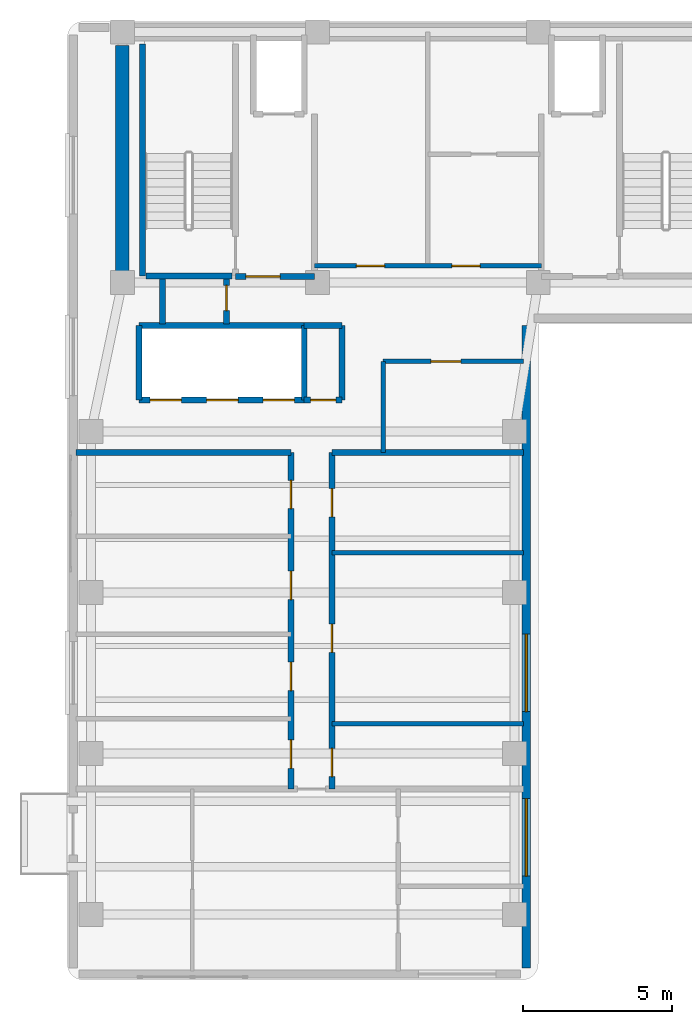
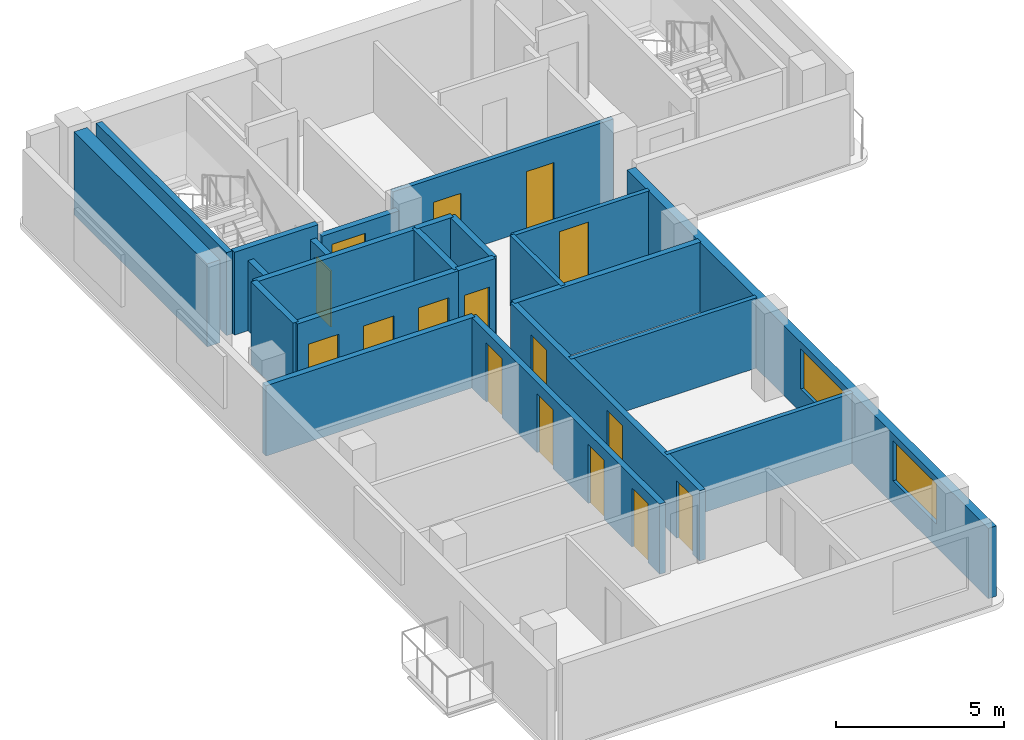
# One storey, part 8 of 11: 23 walls, 16 doors, 2 windows, 18 openings.
"""IFC4 building model written with IfcOpenShell, lengths in metres."""

import ifcopenshell
import ifcopenshell.guid

model = None  # the IFC model being written
_history = None  # IfcOwnerHistory: only IFC2X3 demands one
_inside = {}  # id of a spatial element -> (the spatial element, [elements in it])
_under = {}  # id of a project, library or spatial element -> (it, [spatial elements below it])
_declared = {}  # id of a project -> (the project, [libraries it declares])
_typed = {}  # id of a type object -> (the type object, [elements of that type])
_made_of = {}  # id of a material, layer set ... -> (it, [elements and type objects made of it])


def new_model(schema):
    """Start an empty IFC model of exactly this schema.

    Asked for "IFC4X3", IfcOpenShell would pick the latest addendum, in which some entities
    have other attributes; the version numbers below select the first issue.
    IFC2X3 requires an IfcOwnerHistory on every rooted entity: one is made here for all.
    """
    global model, _history
    if schema == "IFC4X3":
        model = ifcopenshell.file(schema_version=(4, 3, 0, 0))
    else:
        model = ifcopenshell.file(schema=schema)
    _inside.clear()
    _under.clear()
    _declared.clear()
    _typed.clear()
    _made_of.clear()
    _history = None
    if model.schema == "IFC2X3":
        org = make("IfcOrganization", Name="unknown")
        user = make(
            "IfcPersonAndOrganization",
            ThePerson=make("IfcPerson", FamilyName="unknown"),
            TheOrganization=org,
        )
        app = make(
            "IfcApplication",
            ApplicationDeveloper=org,
            Version="unknown",
            ApplicationFullName="unknown",
            ApplicationIdentifier="unknown",
        )
        _history = make(
            "IfcOwnerHistory",
            OwningUser=user,
            OwningApplication=app,
            ChangeAction="ADDED",
            CreationDate=0,
        )
    return model


def make(cls, **values):
    """One entity of the class cls with the attributes given. An attribute that is None is left unset."""
    return model.create_entity(
        cls, **{name: value for name, value in values.items() if value is not None}
    )


def rooted(cls, **values):
    """An entity with a GlobalId (a new one), such as an element, a storey or a relation."""
    return make(cls, GlobalId=ifcopenshell.guid.new(), OwnerHistory=_history, **values)


def si_unit(unit_type, name, prefix=None):
    """IfcSIUnit, for example si_unit("LENGTHUNIT", "METRE", prefix="MILLI")."""
    return make("IfcSIUnit", UnitType=unit_type, Prefix=prefix, Name=name)


def assignment(units):
    """IfcUnitAssignment: the units of a project."""
    return None if units is None else make("IfcUnitAssignment", Units=units)


def point(xyz):
    """IfcCartesianPoint."""
    return None if xyz is None else make("IfcCartesianPoint", Coordinates=xyz)


def direction(xyz):
    """IfcDirection."""
    return None if xyz is None else make("IfcDirection", DirectionRatios=xyz)


def frame(location, z_axis=None, x_axis=None):
    """IfcAxis2Placement3D, a coordinate frame: its origin and axes. An axis left out is left unset."""
    return make(
        "IfcAxis2Placement3D",
        Location=point(location),
        Axis=direction(z_axis),
        RefDirection=direction(x_axis),
    )


def frame_2d(location, x_axis=None):
    """IfcAxis2Placement2D, a coordinate frame in the plane: its origin and x axis."""
    return make(
        "IfcAxis2Placement2D", Location=point(location), RefDirection=direction(x_axis)
    )


def origin():
    """The frame at (0, 0, 0) with its axes left unset."""
    return frame((0.0, 0.0, 0.0))


def place(relative_to, where):
    """IfcLocalPlacement: puts the frame where relative to a parent placement (None: the world)."""
    return make(
        "IfcLocalPlacement", PlacementRelTo=relative_to, RelativePlacement=where
    )


def context(
    kind, dimensions, precision=None, world=None, true_north=None, identifier=None
):
    """IfcGeometricRepresentationContext, for example the 3D "Model" context."""
    return make(
        "IfcGeometricRepresentationContext",
        ContextIdentifier=identifier,
        ContextType=kind,
        CoordinateSpaceDimension=dimensions,
        Precision=precision,
        WorldCoordinateSystem=world,
        TrueNorth=true_north,
    )


def subcontext(parent, identifier, kind, view, scale=None):
    """IfcGeometricRepresentationSubContext, for example "Body" below "Model"."""
    return make(
        "IfcGeometricRepresentationSubContext",
        ContextIdentifier=identifier,
        ContextType=kind,
        ParentContext=parent,
        TargetScale=scale,
        TargetView=view,
    )


def project(units=None, contexts=None):
    """IfcProject with its units and contexts."""
    return rooted(
        "IfcProject",
        Name="project",
        RepresentationContexts=contexts,
        UnitsInContext=assignment(units),
    )


def spatial(cls, under=None, at=None, **own):
    """A site, building, storey or space (cls), placed at a placement, below another one or the project."""
    s = rooted(cls, ObjectPlacement=at, **own)
    if under is not None:
        _under.setdefault(under.id(), (under, []))[1].append(s)
    return s


def profile(cls, at=None, kind="AREA", **sizes):
    """A parametric profile (cls). Its sizes go by their IFC names, for example OverallWidth=200.0."""
    return make(cls, ProfileType=kind, Position=at, **sizes)


def rectangle(**sizes):
    """IfcRectangleProfileDef."""
    return profile("IfcRectangleProfileDef", **sizes)


def extrude(swept, where, along, depth):
    """IfcExtrudedAreaSolid: the profile swept, set in the frame where, extruded along a direction by depth."""
    return make(
        "IfcExtrudedAreaSolid",
        SweptArea=swept,
        Position=where,
        ExtrudedDirection=direction(along),
        Depth=depth,
    )


def shape(context_of_items, identifier, shape_type, items):
    """IfcShapeRepresentation: the items that make up one representation, for example the "Body"."""
    return make(
        "IfcShapeRepresentation",
        ContextOfItems=context_of_items,
        RepresentationIdentifier=identifier,
        RepresentationType=shape_type,
        Items=items,
    )


def material(Name=None, Category=None):
    """IfcMaterial."""
    return make("IfcMaterial", Name=Name, Category=Category)


def layer(
    of_material, thickness, ventilated=None, Name=None, Category=None, Priority=None
):
    """IfcMaterialLayer: one layer of a wall or slab, of a material (None: an air gap)."""
    return make(
        "IfcMaterialLayer",
        Material=of_material,
        LayerThickness=thickness,
        IsVentilated=ventilated,
        Name=Name,
        Category=Category,
        Priority=Priority,
    )


def layer_set(layers, Name=None):
    """IfcMaterialLayerSet."""
    return make("IfcMaterialLayerSet", MaterialLayers=layers, LayerSetName=Name)


def made_of(thing, what):
    """Note that an element or type object is made of a material, layer set ...; save() writes the relation."""
    if what is not None:
        _made_of.setdefault(what.id(), (what, []))[1].append(thing)
    return thing


def type_object(cls, material=None, **own):
    """A type object (cls), such as IfcWallType, which elements share."""
    return made_of(rooted(cls, **own), material)


def element(
    cls,
    number,
    at=None,
    inside=None,
    cuts=None,
    type_object=None,
    material=None,
    context=None,
    identifier="Body",
    shape_type=None,
    held_by="IfcProductDefinitionShape",
    body=None,
    shapes=None,
    **own,
):
    """One element of the class cls, such as IfcWall. Its Tag is "e" and its number.

    at: its placement. inside: the storey or other place that contains it. cuts: it is an
    opening in that element (IfcRelVoidsElement). A single representation is given by context,
    identifier, shape_type and body (its items); several are given by shapes. held_by: the class
    of the entity that holds the representations. save() writes the other relations.
    """
    e = rooted(cls, Tag="e%d" % number, ObjectPlacement=at, **own)
    if body is not None:
        shapes = [shape(context, identifier, shape_type, body)]
    if shapes is not None:
        e.Representation = make(held_by, Representations=shapes)
    if inside is not None:
        _inside.setdefault(inside.id(), (inside, []))[1].append(e)
    if cuts is not None:
        rooted(
            "IfcRelVoidsElement", RelatingBuildingElement=cuts, RelatedOpeningElement=e
        )
    if type_object is not None:
        _typed.setdefault(type_object.id(), (type_object, []))[1].append(e)
    return made_of(e, material)


def fill(opening, filler):
    """IfcRelFillsElement: the door or window that sits in an opening."""
    return rooted(
        "IfcRelFillsElement",
        RelatingOpeningElement=opening,
        RelatedBuildingElement=filler,
    )


def aggregate(whole, parts):
    """IfcRelAggregates: a whole, such as a stair, and the parts it consists of."""
    return rooted("IfcRelAggregates", RelatingObject=whole, RelatedObjects=parts)


def save(model, path):
    """Write the relations noted so far, then the file.

    IfcRelAggregates (storeys below a building ...), IfcRelContainedInSpatialStructure (elements
    in a storey), IfcRelDefinesByType, IfcRelAssociatesMaterial and IfcRelDeclares: one each for
    every whole, place, type object, material and project.
    """
    for whole, parts in _under.values():
        aggregate(whole, parts)
    for where, things in _inside.values():
        rooted(
            "IfcRelContainedInSpatialStructure",
            RelatedElements=things,
            RelatingStructure=where,
        )
    for kind, things in _typed.values():
        rooted("IfcRelDefinesByType", RelatedObjects=things, RelatingType=kind)
    for what, things in _made_of.values():
        rooted("IfcRelAssociatesMaterial", RelatedObjects=things, RelatingMaterial=what)
    for by, libraries in _declared.values():
        rooted("IfcRelDeclares", RelatingContext=by, RelatedDefinitions=libraries)
    model.write(path)


model = new_model("IFC4")

# Units and contexts
model_context = context("Model", 3, precision=1e-05, world=origin(), true_north=direction((0.0, 1.0)))
body_context = subcontext(model_context, "Body", "Model", "MODEL_VIEW")
ifc_project = project(units=[si_unit("LENGTHUNIT", "METRE"), si_unit("AREAUNIT", "SQUARE_METRE"), si_unit("VOLUMEUNIT", "CUBIC_METRE"), si_unit("PLANEANGLEUNIT", "RADIAN"), si_unit("MASSUNIT", "GRAM", prefix="KILO")], contexts=[model_context])

# Site, building, storey
site_placement = place(None, origin())
site = spatial("IfcSite", under=ifc_project, at=site_placement, CompositionType="ELEMENT")
building_placement = place(site_placement, origin())
building = spatial("IfcBuilding", under=site, at=building_placement, Name="Kuzgunbayir Cultural Tower", CompositionType="ELEMENT")
storey_placement = place(building_placement, frame((0.0, 0.0, 237.60009765625)))
storey = spatial("IfcBuildingStorey", under=building, at=storey_placement, Name="L70", CompositionType="ELEMENT", Elevation=237.60009765625)

# Wall
ifc_material_1 = material(Name="Concrete C50/60", Category="concrete")
ifc_layer_1 = layer(ifc_material_1, 0.449951171875)
ifc_layer_set_1 = layer_set([ifc_layer_1], Name="Concrete C50/60")
wall_type_1 = type_object("IfcWallType", Name="WAL-CORE-450", PredefinedType="SHEAR", material=ifc_layer_set_1)
wall_1_placement = place(storey_placement, frame((6.449951171875, 33.800048828125, 0.0), z_axis=(0.0, 0.0, 1.0), x_axis=(0.0, 1.0, 0.0)))
element("IfcWall", 1, at=wall_1_placement, inside=storey, type_object=wall_type_1, Name="L70 T1 Core West Shear Wall", PredefinedType="SHEAR", context=body_context, shape_type="SweptSolid", body=[
    extrude(rectangle(XDim=7.949951171875, YDim=0.449951171875, at=frame_2d((3.97509765625, 0.0))), origin(), (0.0, 0.0, 1.0), 3.02001953125),
])

# Wall, openings, windows
ifc_material_2 = material(Name="Anatolian Cream Limestone", Category="masonry")
ifc_layer_2 = layer(ifc_material_2, 0.280029296875)
ifc_layer_set_2 = layer_set([ifc_layer_2], Name="Anatolian Cream Limestone")
wall_type_2 = type_object("IfcWallType", Name="WAL-EXT-STONE-280", PredefinedType="STANDARD", material=ifc_layer_set_2)
wall_2_placement = place(storey_placement, frame((20.0, 10.800048828125, 0.0), z_axis=(0.0, 0.0, 1.0), x_axis=(0.0, 1.0, 0.0)))
wall_2 = element("IfcWall", 2, at=wall_2_placement, inside=storey, type_object=wall_type_2, Name="L70 Wing A East Limestone Wall", PredefinedType="STANDARD", context=body_context, shape_type="SweptSolid", body=[
    extrude(rectangle(XDim=21.550048828125, YDim=0.280029296875, at=frame_2d((10.77490234375, 0.0))), origin(), (0.0, 0.0, 1.0), 2.559814453125),
])
opening_1_placement = place(wall_2_placement, frame((3.080078125, 0.0, 0.85009765625)))
opening_1 = element("IfcOpeningElement", 3, at=opening_1_placement, cuts=wall_2, Name="Opening WK-26", PredefinedType="OPENING", context=body_context, shape_type="SweptSolid", body=[
    extrude(rectangle(XDim=2.60009765625, YDim=1.4599609375, at=frame_2d((1.300048828125, 0.72998046875))), frame((0.0, 0.14990234375, 0.0), z_axis=(0.0, -1.0, 0.0), x_axis=(1.0, 0.0, 0.0)), (0.0, 0.0, 1.0), 0.300048828125),
])
opening_2_placement = place(wall_2_placement, frame((8.60009765625, 0.0, 0.85009765625)))
opening_2 = element("IfcOpeningElement", 4, at=opening_2_placement, cuts=wall_2, Name="Opening WK-26", PredefinedType="OPENING", context=body_context, shape_type="SweptSolid", body=[
    extrude(rectangle(XDim=2.60009765625, YDim=1.4599609375, at=frame_2d((1.300048828125, 0.72998046875))), frame((0.0, 0.14990234375, 0.0), z_axis=(0.0, -1.0, 0.0), x_axis=(1.0, 0.0, 0.0)), (0.0, 0.0, 1.0), 0.300048828125),
])
ifc_material_3 = material(Name="Solar-Control Triple Glazing", Category="glass")
window_type = type_object("IfcWindowType", Name="WIN-CROWN-26", PartitioningType="SINGLE_PANEL", PredefinedType="WINDOW", material=ifc_material_3)
window_1_placement = place(opening_1_placement, origin())
window_1 = element("IfcWindow", 5, at=window_1_placement, inside=storey, type_object=window_type, Name="L70 WAE Facade Window 2", OverallHeight=1.4599609375, OverallWidth=2.60009765625, PartitioningType="SINGLE_PANEL", PredefinedType="WINDOW", context=body_context, shape_type="SweptSolid", body=[
    extrude(rectangle(XDim=2.60009765625, YDim=1.4599609375, at=frame_2d((1.300048828125, 0.72998046875))), frame((0.0, 0.030029296875, 0.0), z_axis=(0.0, -1.0, 0.0), x_axis=(1.0, 0.0, 0.0)), (0.0, 0.0, 1.0), 0.06005859375),
])
fill(opening_1, window_1)
window_2_placement = place(opening_2_placement, origin())
window_2 = element("IfcWindow", 6, at=window_2_placement, inside=storey, type_object=window_type, Name="L70 WAE Facade Window 6", OverallHeight=1.4599609375, OverallWidth=2.60009765625, PartitioningType="SINGLE_PANEL", PredefinedType="WINDOW", context=body_context, shape_type="SweptSolid", body=[
    extrude(rectangle(XDim=2.60009765625, YDim=1.4599609375, at=frame_2d((1.300048828125, 0.72998046875))), frame((0.0, 0.030029296875, 0.0), z_axis=(0.0, -1.0, 0.0), x_axis=(1.0, 0.0, 0.0)), (0.0, 0.0, 1.0), 0.06005859375),
])
fill(opening_2, window_2)

# Wall, openings, doors
ifc_material_4 = material(Name="Acoustic Double-Stud Drywall", Category="gypsum")
ifc_layer_3 = layer(ifc_material_4, 0.14990234375)
ifc_layer_set_3 = layer_set([ifc_layer_3], Name="Acoustic Double-Stud Drywall")
wall_type_3 = type_object("IfcWallType", Name="WAL-PART-ACOUSTIC-150", PredefinedType="PARTITIONING", material=ifc_layer_set_3)
wall_3_placement = place(storey_placement, frame((12.89990234375, 34.35009765625, 0.0), z_axis=(0.0, 0.0, 1.0), x_axis=(1.0, 0.0, 0.0)))
wall_3 = element("IfcWall", 7, at=wall_3_placement, inside=storey, type_object=wall_type_3, Name="L70 Sky Core South Wall", PredefinedType="PARTITIONING", context=body_context, shape_type="SweptSolid", body=[
    extrude(rectangle(XDim=7.60009765625, YDim=0.14990234375, at=frame_2d((3.800048828125, 0.0))), origin(), (0.0, 0.0, 1.0), 3.02001953125),
])
opening_3_placement = place(wall_3_placement, frame((1.39990234375, 0.0, 0.0)))
opening_3 = element("IfcOpeningElement", 8, at=opening_3_placement, cuts=wall_3, Name="Opening DC-95", PredefinedType="OPENING", context=body_context, shape_type="SweptSolid", body=[
    extrude(rectangle(XDim=0.949951171875, YDim=2.14990234375, at=frame_2d((0.47509765625, 1.074951171875))), frame((0.0, 0.0849609375, 0.0), z_axis=(0.0, -1.0, 0.0), x_axis=(1.0, 0.0, 0.0)), (0.0, 0.0, 1.0), 0.169921875),
])
opening_4_placement = place(wall_3_placement, frame((4.60009765625, 0.0, 0.0)))
opening_4 = element("IfcOpeningElement", 9, at=opening_4_placement, cuts=wall_3, Name="Opening DC-95", PredefinedType="OPENING", context=body_context, shape_type="SweptSolid", body=[
    extrude(rectangle(XDim=0.949951171875, YDim=2.14990234375, at=frame_2d((0.47509765625, 1.074951171875))), frame((0.0, 0.0849609375, 0.0), z_axis=(0.0, -1.0, 0.0), x_axis=(1.0, 0.0, 0.0)), (0.0, 0.0, 1.0), 0.169921875),
])
ifc_material_5 = material(Name="Fire-Rated Veneered Oak Leaf", Category="wood")
door_type_1 = type_object("IfcDoorType", Name="DR-CORE-95", OperationType="NOTDEFINED", PredefinedType="DOOR", material=ifc_material_5)
door_1_placement = place(opening_3_placement, origin())
door_1 = element("IfcDoor", 10, at=door_1_placement, inside=storey, type_object=door_type_1, Name="L70 Library Alcove Door", OperationType="SINGLE_SWING_LEFT", OverallHeight=2.14990234375, OverallWidth=0.949951171875, PredefinedType="DOOR", context=body_context, shape_type="SweptSolid", body=[
    extrude(rectangle(XDim=0.949951171875, YDim=2.14990234375, at=frame_2d((0.47509765625, 1.074951171875))), frame((0.0, 0.02490234375, 0.0), z_axis=(0.0, -1.0, 0.0), x_axis=(1.0, 0.0, 0.0)), (0.0, 0.0, 1.0), 0.050048828125),
])
fill(opening_3, door_1)
door_2_placement = place(opening_4_placement, origin())
door_2 = element("IfcDoor", 11, at=door_2_placement, inside=storey, type_object=door_type_1, Name="L70 Music Practice Room Door", OperationType="SINGLE_SWING_RIGHT", OverallHeight=2.14990234375, OverallWidth=0.949951171875, PredefinedType="DOOR", context=body_context, shape_type="SweptSolid", body=[
    extrude(rectangle(XDim=0.949951171875, YDim=2.14990234375, at=frame_2d((0.47509765625, 1.074951171875))), frame((0.0, 0.02490234375, 0.0), z_axis=(0.0, -1.0, 0.0), x_axis=(1.0, 0.0, 0.0)), (0.0, 0.0, 1.0), 0.050048828125),
])
fill(opening_4, door_2)

# Wall, opening, door
wall_4_placement = place(storey_placement, frame((15.199951171875, 31.14990234375, 0.0), z_axis=(0.0, 0.0, 1.0), x_axis=(1.0, 0.0, 0.0)))
wall_4 = element("IfcWall", 12, at=wall_4_placement, inside=storey, type_object=wall_type_3, Name="L70 Central Sky Salon North Wall", PredefinedType="PARTITIONING", context=body_context, shape_type="SweptSolid", body=[
    extrude(rectangle(XDim=4.699951171875, YDim=0.14990234375, at=frame_2d((2.35009765625, 0.0))), origin(), (0.0, 0.0, 1.0), 2.559814453125),
])
opening_5_placement = place(wall_4_placement, frame((1.60009765625, 0.0, 0.0)))
opening_5 = element("IfcOpeningElement", 13, at=opening_5_placement, cuts=wall_4, Name="Opening DI-100", PredefinedType="OPENING", context=body_context, shape_type="SweptSolid", body=[
    extrude(rectangle(XDim=1.0, YDim=2.14990234375, at=frame_2d((0.5, 1.074951171875))), frame((0.0, 0.0849609375, 0.0), z_axis=(0.0, -1.0, 0.0), x_axis=(1.0, 0.0, 0.0)), (0.0, 0.0, 1.0), 0.169921875),
])
ifc_material_6 = material(Name="Veneered Oak Single Leaf", Category="wood")
door_type_2 = type_object("IfcDoorType", Name="DR-INT-100", OperationType="NOTDEFINED", PredefinedType="DOOR", material=ifc_material_6)
door_3_placement = place(opening_5_placement, origin())
door_3 = element("IfcDoor", 14, at=door_3_placement, inside=storey, type_object=door_type_2, Name="L70 Central Sky Salon Door", OperationType="SINGLE_SWING_LEFT", OverallHeight=2.14990234375, OverallWidth=1.0, PredefinedType="DOOR", context=body_context, shape_type="SweptSolid", body=[
    extrude(rectangle(XDim=1.0, YDim=2.14990234375, at=frame_2d((0.5, 1.074951171875))), frame((0.0, 0.02490234375, 0.0), z_axis=(0.0, -1.0, 0.0), x_axis=(1.0, 0.0, 0.0)), (0.0, 0.0, 1.0), 0.050048828125),
])
fill(opening_5, door_3)

# Walls
wall_5_placement = place(storey_placement, frame((15.199951171875, 28.10009765625, 0.0), z_axis=(0.0, 0.0, 1.0), x_axis=(0.0, 1.0, 0.0)))
element("IfcWall", 15, at=wall_5_placement, inside=storey, type_object=wall_type_3, Name="L70 Central Sky Salon West Wall", PredefinedType="PARTITIONING", context=body_context, shape_type="SweptSolid", body=[
    extrude(rectangle(XDim=3.0498046875, YDim=0.14990234375, at=frame_2d((1.52490234375, 0.0))), origin(), (0.0, 0.0, 1.0), 2.559814453125),
])
wall_6_placement = place(storey_placement, frame((13.47998046875, 24.72998046875, 0.0), z_axis=(0.0, 0.0, 1.0), x_axis=(1.0, 0.0, 0.0)))
element("IfcWall", 16, at=wall_6_placement, inside=storey, type_object=wall_type_3, Name="L70 East Divider 1", PredefinedType="PARTITIONING", context=body_context, shape_type="SweptSolid", body=[
    extrude(rectangle(XDim=6.419921875, YDim=0.14990234375, at=frame_2d((3.2099609375, 0.0))), origin(), (0.0, 0.0, 1.0), 2.559814453125),
])

# Wall, opening, door
ifc_material_7 = material(Name="Aerated Concrete Blockwork", Category="masonry")
ifc_layer_4 = layer(ifc_material_7, 0.199951171875)
ifc_layer_set_4 = layer_set([ifc_layer_4], Name="Aerated Concrete Blockwork")
wall_type_4 = type_object("IfcWallType", Name="WAL-PART-FIRE-200", PredefinedType="PARTITIONING", material=ifc_layer_set_4)
wall_7_placement = place(storey_placement, frame((10.239990234375, 34.0, 0.0), z_axis=(0.0, 0.0, 1.0), x_axis=(1.0, 0.0, 0.0)))
wall_7 = element("IfcWall", 17, at=wall_7_placement, inside=storey, type_object=wall_type_4, Name="L70 FFL-1 Lobby South Fire Wall", PredefinedType="PARTITIONING", context=body_context, shape_type="SweptSolid", body=[
    extrude(rectangle(XDim=2.659912109375, YDim=0.199951171875, at=frame_2d((1.330078125, 0.0))), origin(), (0.0, 0.0, 1.0), 2.559814453125),
])
opening_6_placement = place(wall_7_placement, frame((0.35009765625, 0.0, 0.0)))
opening_6 = element("IfcOpeningElement", 18, at=opening_6_placement, cuts=wall_7, Name="Opening DR-FFL-90", PredefinedType="OPENING", context=body_context, shape_type="SweptSolid", body=[
    extrude(rectangle(XDim=1.14990234375, YDim=2.14990234375, at=frame_2d((0.574951171875, 1.074951171875))), frame((0.0, 0.10986328125, 0.0), z_axis=(0.0, -1.0, 0.0), x_axis=(1.0, 0.0, 0.0)), (0.0, 0.0, 1.0), 0.219970703125),
])
ifc_material_8 = material(Name="Steel S355J2", Category="steel")
door_type_3 = type_object("IfcDoorType", Name="DR-FFL-90", OperationType="NOTDEFINED", PredefinedType="DOOR", material=ifc_material_8)
door_4_placement = place(opening_6_placement, origin())
door_4 = element("IfcDoor", 19, at=door_4_placement, inside=storey, type_object=door_type_3, Name="L70 Firefighting Lobby 1 Door", OperationType="SINGLE_SWING_LEFT", OverallHeight=2.14990234375, OverallWidth=1.14990234375, PredefinedType="DOOR", context=body_context, shape_type="SweptSolid", body=[
    extrude(rectangle(XDim=1.14990234375, YDim=2.14990234375, at=frame_2d((0.574951171875, 1.074951171875))), frame((0.0, 0.02490234375, 0.0), z_axis=(0.0, -1.0, 0.0), x_axis=(1.0, 0.0, 0.0)), (0.0, 0.0, 1.0), 0.050048828125),
])
fill(opening_6, door_4)

wall_8_placement = place(storey_placement, frame((12.550048828125, 29.85009765625, 0.0), z_axis=(0.0, 0.0, 1.0), x_axis=(1.0, 0.0, 0.0)))
wall_8 = element("IfcWall", 20, at=wall_8_placement, inside=storey, type_object=wall_type_4, Name="L70 Center Core Switchgear South Wall", PredefinedType="PARTITIONING", context=body_context, shape_type="SweptSolid", body=[
    extrude(rectangle(XDim=1.27001953125, YDim=0.199951171875, at=frame_2d((0.635009765625, 0.0))), origin(), (0.0, 0.0, 1.0), 3.02001953125),
])
opening_7_placement = place(wall_8_placement, frame((0.2099609375, 0.0, 0.0)))
opening_7 = element("IfcOpeningElement", 21, at=opening_7_placement, cuts=wall_8, Name="Opening DR-RSR-60", PredefinedType="OPENING", context=body_context, shape_type="SweptSolid", body=[
    extrude(rectangle(XDim=0.85009765625, YDim=2.050048828125, at=frame_2d((0.425048828125, 1.02490234375))), frame((0.0, 0.10986328125, 0.0), z_axis=(0.0, -1.0, 0.0), x_axis=(1.0, 0.0, 0.0)), (0.0, 0.0, 1.0), 0.219970703125),
])
ifc_material_9 = material(Name="Steel Access Leaf", Category="steel")
door_type_4 = type_object("IfcDoorType", Name="DR-RISER-60", OperationType="NOTDEFINED", PredefinedType="DOOR", material=ifc_material_9)
door_5_placement = place(opening_7_placement, origin())
door_5 = element("IfcDoor", 22, at=door_5_placement, inside=storey, type_object=door_type_4, Name="L70 Electrical Switchgear Closet Door", OperationType="SINGLE_SWING_LEFT", OverallHeight=2.050048828125, OverallWidth=0.85009765625, PredefinedType="DOOR", context=body_context, shape_type="SweptSolid", body=[
    extrude(rectangle(XDim=0.85009765625, YDim=2.050048828125, at=frame_2d((0.425048828125, 1.02490234375))), frame((0.0, 0.02490234375, 0.0), z_axis=(0.0, -1.0, 0.0), x_axis=(1.0, 0.0, 0.0)), (0.0, 0.0, 1.0), 0.050048828125),
])
fill(opening_7, door_5)

# Walls
wall_9_placement = place(storey_placement, frame((13.820068359375, 29.85009765625, 0.0), z_axis=(0.0, 0.0, 1.0), x_axis=(0.0, 1.0, 0.0)))
element("IfcWall", 23, at=wall_9_placement, inside=storey, type_object=wall_type_4, Name="L70 Center Core Switchgear East Wall", PredefinedType="PARTITIONING", context=body_context, shape_type="SweptSolid", body=[
    extrude(rectangle(XDim=2.5, YDim=0.199951171875, at=frame_2d((1.25, 0.0))), origin(), (0.0, 0.0, 1.0), 3.02001953125),
])
wall_10_placement = place(storey_placement, frame((12.550048828125, 32.35009765625, 0.0), z_axis=(0.0, 0.0, 1.0), x_axis=(1.0, 0.0, 0.0)))
element("IfcWall", 24, at=wall_10_placement, inside=storey, type_object=wall_type_4, Name="L70 Center Core Switchgear North Wall", PredefinedType="PARTITIONING", context=body_context, shape_type="SweptSolid", body=[
    extrude(rectangle(XDim=1.27001953125, YDim=0.199951171875, at=frame_2d((0.635009765625, 0.0))), origin(), (0.0, 0.0, 1.0), 3.02001953125),
])
wall_11_placement = place(storey_placement, frame((7.800048828125, 32.39990234375, 0.0), z_axis=(0.0, 0.0, 1.0), x_axis=(0.0, 1.0, 0.0)))
element("IfcWall", 25, at=wall_11_placement, inside=storey, type_object=wall_type_4, Name="L70 West Core Electrical Closet West Wall", PredefinedType="PARTITIONING", context=body_context, shape_type="SweptSolid", body=[
    extrude(rectangle(XDim=1.52001953125, YDim=0.199951171875, at=frame_2d((0.760009765625, 0.0))), origin(), (0.0, 0.0, 1.0), 2.559814453125),
])

# Wall, opening, door
wall_12_placement = place(storey_placement, frame((9.949951171875, 32.39990234375, 0.0), z_axis=(0.0, 0.0, 1.0), x_axis=(0.0, 1.0, 0.0)))
wall_12 = element("IfcWall", 26, at=wall_12_placement, inside=storey, type_object=wall_type_4, Name="L70 West Core Electrical Closet East Wall", PredefinedType="PARTITIONING", context=body_context, shape_type="SweptSolid", body=[
    extrude(rectangle(XDim=1.52001953125, YDim=0.199951171875, at=frame_2d((0.760009765625, 0.0))), origin(), (0.0, 0.0, 1.0), 2.559814453125),
])
opening_8_placement = place(wall_12_placement, frame((0.449951171875, 0.0, 0.0)))
opening_8 = element("IfcOpeningElement", 27, at=opening_8_placement, cuts=wall_12, Name="Opening DR-RSR-60", PredefinedType="OPENING", context=body_context, shape_type="SweptSolid", body=[
    extrude(rectangle(XDim=0.85009765625, YDim=2.050048828125, at=frame_2d((0.425048828125, 1.02490234375))), frame((0.0, 0.10986328125, 0.0), z_axis=(0.0, -1.0, 0.0), x_axis=(1.0, 0.0, 0.0)), (0.0, 0.0, 1.0), 0.219970703125),
])
door_6_placement = place(opening_8_placement, origin())
door_6 = element("IfcDoor", 28, at=door_6_placement, inside=storey, type_object=door_type_4, Name="L70 West Core Switchgear Closet Door", OperationType="SINGLE_SWING_RIGHT", OverallHeight=2.050048828125, OverallWidth=0.85009765625, PredefinedType="DOOR", context=body_context, shape_type="SweptSolid", body=[
    extrude(rectangle(XDim=0.85009765625, YDim=2.050048828125, at=frame_2d((0.425048828125, 1.02490234375))), frame((0.0, 0.02490234375, 0.0), z_axis=(0.0, -1.0, 0.0), x_axis=(1.0, 0.0, 0.0)), (0.0, 0.0, 1.0), 0.050048828125),
])
fill(opening_8, door_6)

# Wall, openings, doors
wall_13_placement = place(storey_placement, frame((12.10009765625, 16.800048828125, 0.0), z_axis=(0.0, 0.0, 1.0), x_axis=(0.0, 1.0, 0.0)))
wall_13 = element("IfcWall", 29, at=wall_13_placement, inside=storey, type_object=wall_type_4, Name="L70 Wing A West Corridor Wall", PredefinedType="PARTITIONING", context=body_context, shape_type="SweptSolid", body=[
    extrude(rectangle(XDim=11.300048828125, YDim=0.199951171875, at=frame_2d((5.64990234375, 0.0))), origin(), (0.0, 0.0, 1.0), 2.559814453125),
])
opening_9_placement = place(wall_13_placement, frame((0.699951171875, 0.0, 0.0)))
opening_9 = element("IfcOpeningElement", 30, at=opening_9_placement, cuts=wall_13, Name="Opening DI-90", PredefinedType="OPENING", context=body_context, shape_type="SweptSolid", body=[
    extrude(rectangle(XDim=0.949951171875, YDim=2.14990234375, at=frame_2d((0.47509765625, 1.074951171875))), frame((0.0, 0.10986328125, 0.0), z_axis=(0.0, -1.0, 0.0), x_axis=(1.0, 0.0, 0.0)), (0.0, 0.0, 1.0), 0.219970703125),
])
opening_10_placement = place(wall_13_placement, frame((3.31005859375, 0.0, 0.0)))
opening_10 = element("IfcOpeningElement", 31, at=opening_10_placement, cuts=wall_13, Name="Opening DI-90", PredefinedType="OPENING", context=body_context, shape_type="SweptSolid", body=[
    extrude(rectangle(XDim=0.949951171875, YDim=2.14990234375, at=frame_2d((0.47509765625, 1.074951171875))), frame((0.0, 0.10986328125, 0.0), z_axis=(0.0, -1.0, 0.0), x_axis=(1.0, 0.0, 0.0)), (0.0, 0.0, 1.0), 0.219970703125),
])
opening_11_placement = place(wall_13_placement, frame((6.360107421875, 0.0, 0.0)))
opening_11 = element("IfcOpeningElement", 32, at=opening_11_placement, cuts=wall_13, Name="Opening DI-90", PredefinedType="OPENING", context=body_context, shape_type="SweptSolid", body=[
    extrude(rectangle(XDim=0.949951171875, YDim=2.14990234375, at=frame_2d((0.47509765625, 1.074951171875))), frame((0.0, 0.10986328125, 0.0), z_axis=(0.0, -1.0, 0.0), x_axis=(1.0, 0.0, 0.0)), (0.0, 0.0, 1.0), 0.219970703125),
])
opening_12_placement = place(wall_13_placement, frame((9.409912109375, 0.0, 0.0)))
opening_12 = element("IfcOpeningElement", 33, at=opening_12_placement, cuts=wall_13, Name="Opening DI-90", PredefinedType="OPENING", context=body_context, shape_type="SweptSolid", body=[
    extrude(rectangle(XDim=0.949951171875, YDim=2.14990234375, at=frame_2d((0.47509765625, 1.074951171875))), frame((0.0, 0.10986328125, 0.0), z_axis=(0.0, -1.0, 0.0), x_axis=(1.0, 0.0, 0.0)), (0.0, 0.0, 1.0), 0.219970703125),
])
door_type_5 = type_object("IfcDoorType", Name="DR-INT-90", OperationType="NOTDEFINED", PredefinedType="DOOR", material=ifc_material_6)
door_7_placement = place(opening_9_placement, origin())
door_7 = element("IfcDoor", 34, at=door_7_placement, inside=storey, type_object=door_type_5, Name="L70 Culinary Tasting Pantry W1 Door", OperationType="SINGLE_SWING_RIGHT", OverallHeight=2.14990234375, OverallWidth=0.949951171875, PredefinedType="DOOR", context=body_context, shape_type="SweptSolid", body=[
    extrude(rectangle(XDim=0.949951171875, YDim=2.14990234375, at=frame_2d((0.47509765625, 1.074951171875))), frame((0.0, 0.02490234375, 0.0), z_axis=(0.0, -1.0, 0.0), x_axis=(1.0, 0.0, 0.0)), (0.0, 0.0, 1.0), 0.050048828125),
])
fill(opening_9, door_7)
door_8_placement = place(opening_10_placement, origin())
door_8 = element("IfcDoor", 35, at=door_8_placement, inside=storey, type_object=door_type_5, Name="L70 Culinary Tasting Pantry W2 Door", OperationType="SINGLE_SWING_LEFT", OverallHeight=2.14990234375, OverallWidth=0.949951171875, PredefinedType="DOOR", context=body_context, shape_type="SweptSolid", body=[
    extrude(rectangle(XDim=0.949951171875, YDim=2.14990234375, at=frame_2d((0.47509765625, 1.074951171875))), frame((0.0, 0.02490234375, 0.0), z_axis=(0.0, -1.0, 0.0), x_axis=(1.0, 0.0, 0.0)), (0.0, 0.0, 1.0), 0.050048828125),
])
fill(opening_10, door_8)
door_9_placement = place(opening_11_placement, origin())
door_9 = element("IfcDoor", 36, at=door_9_placement, inside=storey, type_object=door_type_5, Name="L70 Culinary Tasting Pantry W3 Door", OperationType="SINGLE_SWING_RIGHT", OverallHeight=2.14990234375, OverallWidth=0.949951171875, PredefinedType="DOOR", context=body_context, shape_type="SweptSolid", body=[
    extrude(rectangle(XDim=0.949951171875, YDim=2.14990234375, at=frame_2d((0.47509765625, 1.074951171875))), frame((0.0, 0.02490234375, 0.0), z_axis=(0.0, -1.0, 0.0), x_axis=(1.0, 0.0, 0.0)), (0.0, 0.0, 1.0), 0.050048828125),
])
fill(opening_11, door_9)
door_10_placement = place(opening_12_placement, origin())
door_10 = element("IfcDoor", 37, at=door_10_placement, inside=storey, type_object=door_type_5, Name="L70 Curatorial Office W4 Door", OperationType="SINGLE_SWING_LEFT", OverallHeight=2.14990234375, OverallWidth=0.949951171875, PredefinedType="DOOR", context=body_context, shape_type="SweptSolid", body=[
    extrude(rectangle(XDim=0.949951171875, YDim=2.14990234375, at=frame_2d((0.47509765625, 1.074951171875))), frame((0.0, 0.02490234375, 0.0), z_axis=(0.0, -1.0, 0.0), x_axis=(1.0, 0.0, 0.0)), (0.0, 0.0, 1.0), 0.050048828125),
])
fill(opening_12, door_10)

wall_14_placement = place(storey_placement, frame((13.47998046875, 16.800048828125, 0.0), z_axis=(0.0, 0.0, 1.0), x_axis=(0.0, 1.0, 0.0)))
wall_14 = element("IfcWall", 38, at=wall_14_placement, inside=storey, type_object=wall_type_4, Name="L70 Wing A East Corridor Wall", PredefinedType="PARTITIONING", context=body_context, shape_type="SweptSolid", body=[
    extrude(rectangle(XDim=11.300048828125, YDim=0.199951171875, at=frame_2d((5.64990234375, 0.0))), origin(), (0.0, 0.0, 1.0), 2.559814453125),
])
opening_13_placement = place(wall_14_placement, frame((0.419921875, 0.0, 0.0)))
opening_13 = element("IfcOpeningElement", 39, at=opening_13_placement, cuts=wall_14, Name="Opening DW-95", PredefinedType="OPENING", context=body_context, shape_type="SweptSolid", body=[
    extrude(rectangle(XDim=0.949951171875, YDim=2.10009765625, at=frame_2d((0.47509765625, 1.050048828125))), frame((0.0, 0.10986328125, 0.0), z_axis=(0.0, -1.0, 0.0), x_axis=(1.0, 0.0, 0.0)), (0.0, 0.0, 1.0), 0.219970703125),
])
opening_14_placement = place(wall_14_placement, frame((4.590087890625, 0.0, 0.0)))
opening_14 = element("IfcOpeningElement", 40, at=opening_14_placement, cuts=wall_14, Name="Opening DI-90", PredefinedType="OPENING", context=body_context, shape_type="SweptSolid", body=[
    extrude(rectangle(XDim=0.949951171875, YDim=2.14990234375, at=frame_2d((0.47509765625, 1.074951171875))), frame((0.0, 0.10986328125, 0.0), z_axis=(0.0, -1.0, 0.0), x_axis=(1.0, 0.0, 0.0)), (0.0, 0.0, 1.0), 0.219970703125),
])
opening_15_placement = place(wall_14_placement, frame((9.1298828125, 0.0, 0.0)))
opening_15 = element("IfcOpeningElement", 41, at=opening_15_placement, cuts=wall_14, Name="Opening DI-90", PredefinedType="OPENING", context=body_context, shape_type="SweptSolid", body=[
    extrude(rectangle(XDim=0.949951171875, YDim=2.14990234375, at=frame_2d((0.47509765625, 1.074951171875))), frame((0.0, 0.10986328125, 0.0), z_axis=(0.0, -1.0, 0.0), x_axis=(1.0, 0.0, 0.0)), (0.0, 0.0, 1.0), 0.219970703125),
])
door_11_placement = place(opening_14_placement, origin())
door_11 = element("IfcDoor", 42, at=door_11_placement, inside=storey, type_object=door_type_5, Name="L70 East Culinary Tasting Pantry E1 Door", OperationType="SINGLE_SWING_LEFT", OverallHeight=2.14990234375, OverallWidth=0.949951171875, PredefinedType="DOOR", context=body_context, shape_type="SweptSolid", body=[
    extrude(rectangle(XDim=0.949951171875, YDim=2.14990234375, at=frame_2d((0.47509765625, 1.074951171875))), frame((0.0, 0.02490234375, 0.0), z_axis=(0.0, -1.0, 0.0), x_axis=(1.0, 0.0, 0.0)), (0.0, 0.0, 1.0), 0.050048828125),
])
fill(opening_14, door_11)
door_12_placement = place(opening_15_placement, origin())
door_12 = element("IfcDoor", 43, at=door_12_placement, inside=storey, type_object=door_type_5, Name="L70 East Art Publication Salon E2 Door", OperationType="SINGLE_SWING_RIGHT", OverallHeight=2.14990234375, OverallWidth=0.949951171875, PredefinedType="DOOR", context=body_context, shape_type="SweptSolid", body=[
    extrude(rectangle(XDim=0.949951171875, YDim=2.14990234375, at=frame_2d((0.47509765625, 1.074951171875))), frame((0.0, 0.02490234375, 0.0), z_axis=(0.0, -1.0, 0.0), x_axis=(1.0, 0.0, 0.0)), (0.0, 0.0, 1.0), 0.050048828125),
])
fill(opening_15, door_12)
ifc_material_10 = material(Name="Laminate Moisture-Resistant Leaf", Category="wood")
door_type_6 = type_object("IfcDoorType", Name="DR-WET-95", OperationType="NOTDEFINED", PredefinedType="DOOR", material=ifc_material_10)
door_13_placement = place(opening_13_placement, origin())
door_13 = element("IfcDoor", 44, at=door_13_placement, inside=storey, type_object=door_type_6, Name="L70 Visitor Accessible WC Door", OperationType="SINGLE_SWING_RIGHT", OverallHeight=2.10009765625, OverallWidth=0.949951171875, PredefinedType="DOOR", context=body_context, shape_type="SweptSolid", body=[
    extrude(rectangle(XDim=0.949951171875, YDim=2.10009765625, at=frame_2d((0.47509765625, 1.050048828125))), frame((0.0, 0.02490234375, 0.0), z_axis=(0.0, -1.0, 0.0), x_axis=(1.0, 0.0, 0.0)), (0.0, 0.0, 1.0), 0.050048828125),
])
fill(opening_13, door_13)

# Walls
wall_15_placement = place(storey_placement, frame((4.89990234375, 28.10009765625, 0.0), z_axis=(0.0, 0.0, 1.0), x_axis=(1.0, 0.0, 0.0)))
element("IfcWall", 45, at=wall_15_placement, inside=storey, type_object=wall_type_4, Name="L70 North West Partition", PredefinedType="PARTITIONING", context=body_context, shape_type="SweptSolid", body=[
    extrude(rectangle(XDim=7.2001953125, YDim=0.199951171875, at=frame_2d((3.60009765625, 0.0))), origin(), (0.0, 0.0, 1.0), 2.559814453125),
])
wall_16_placement = place(storey_placement, frame((13.47998046875, 28.10009765625, 0.0), z_axis=(0.0, 0.0, 1.0), x_axis=(1.0, 0.0, 0.0)))
element("IfcWall", 46, at=wall_16_placement, inside=storey, type_object=wall_type_4, Name="L70 North East Partition", PredefinedType="PARTITIONING", context=body_context, shape_type="SweptSolid", body=[
    extrude(rectangle(XDim=6.419921875, YDim=0.199951171875, at=frame_2d((3.2099609375, 0.0))), origin(), (0.0, 0.0, 1.0), 2.559814453125),
])
ifc_material_11 = material(Name="Moisture-Resistant Tile Partition", Category="gypsum")
ifc_layer_5 = layer(ifc_material_11, 0.14990234375)
ifc_layer_set_5 = layer_set([ifc_layer_5], Name="Moisture-Resistant Tile Partition")
wall_type_5 = type_object("IfcWallType", Name="WAL-PART-WET-150", PredefinedType="PARTITIONING", material=ifc_layer_set_5)
wall_17_placement = place(storey_placement, frame((13.47998046875, 19.0, 0.0), z_axis=(0.0, 0.0, 1.0), x_axis=(1.0, 0.0, 0.0)))
element("IfcWall", 47, at=wall_17_placement, inside=storey, type_object=wall_type_5, Name="L70 East Accessible WC Wall", PredefinedType="PARTITIONING", context=body_context, shape_type="SweptSolid", body=[
    extrude(rectangle(XDim=6.419921875, YDim=0.14990234375, at=frame_2d((3.2099609375, 0.0))), origin(), (0.0, 0.0, 1.0), 2.559814453125),
])

# Wall, openings, doors
ifc_material_12 = material(Name="Concrete C40/50", Category="concrete")
ifc_layer_6 = layer(ifc_material_12, 0.199951171875)
ifc_layer_set_6 = layer_set([ifc_layer_6], Name="Concrete C40/50")
wall_type_6 = type_object("IfcWallType", Name="WAL-SHAFT-200", PredefinedType="MOVABLE", material=ifc_layer_set_6)
wall_18_placement = place(storey_placement, frame((7.0, 29.85009765625, 0.0), z_axis=(0.0, 0.0, 1.0), x_axis=(1.0, 0.0, 0.0)))
wall_18 = element("IfcWall", 48, at=wall_18_placement, inside=storey, type_object=wall_type_6, Name="L70 High-Rise Lift Shaft South Wall", PredefinedType="MOVABLE", context=body_context, shape_type="SweptSolid", body=[
    extrude(rectangle(XDim=5.550048828125, YDim=0.199951171875, at=frame_2d((2.77490234375, 0.0))), origin(), (0.0, 0.0, 1.0), 3.02001953125),
])
opening_16_placement = place(wall_18_placement, frame((0.3798828125, 0.0, 0.0)))
opening_16 = element("IfcOpeningElement", 49, at=opening_16_placement, cuts=wall_18, Name="Opening LD", PredefinedType="OPENING", context=body_context, shape_type="SweptSolid", body=[
    extrude(rectangle(XDim=1.050048828125, YDim=2.14990234375, at=frame_2d((0.52490234375, 1.074951171875))), frame((0.0, 0.10986328125, 0.0), z_axis=(0.0, -1.0, 0.0), x_axis=(1.0, 0.0, 0.0)), (0.0, 0.0, 1.0), 0.219970703125),
])
opening_17_placement = place(wall_18_placement, frame((2.280029296875, 0.0, 0.0)))
opening_17 = element("IfcOpeningElement", 50, at=opening_17_placement, cuts=wall_18, Name="Opening LD", PredefinedType="OPENING", context=body_context, shape_type="SweptSolid", body=[
    extrude(rectangle(XDim=1.050048828125, YDim=2.14990234375, at=frame_2d((0.52490234375, 1.074951171875))), frame((0.0, 0.10986328125, 0.0), z_axis=(0.0, -1.0, 0.0), x_axis=(1.0, 0.0, 0.0)), (0.0, 0.0, 1.0), 0.219970703125),
])
opening_18_placement = place(wall_18_placement, frame((4.169921875, 0.0, 0.0)))
opening_18 = element("IfcOpeningElement", 51, at=opening_18_placement, cuts=wall_18, Name="Opening LD", PredefinedType="OPENING", context=body_context, shape_type="SweptSolid", body=[
    extrude(rectangle(XDim=1.050048828125, YDim=2.14990234375, at=frame_2d((0.52490234375, 1.074951171875))), frame((0.0, 0.10986328125, 0.0), z_axis=(0.0, -1.0, 0.0), x_axis=(1.0, 0.0, 0.0)), (0.0, 0.0, 1.0), 0.219970703125),
])
ifc_material_13 = material(Name="Brushed Stainless Steel", Category="steel")
door_type_7 = type_object("IfcDoorType", Name="DR-LIFT-LANDING", OperationType="SLIDING_TO_LEFT", PredefinedType="DOOR", material=ifc_material_13)
door_14_placement = place(opening_16_placement, origin())
door_14 = element("IfcDoor", 52, at=door_14_placement, inside=storey, type_object=door_type_7, Name="L70 Lift PH-1 Landing Door", OperationType="SLIDING_TO_LEFT", OverallHeight=2.14990234375, OverallWidth=1.050048828125, PredefinedType="DOOR", context=body_context, shape_type="SweptSolid", body=[
    extrude(rectangle(XDim=1.050048828125, YDim=2.14990234375, at=frame_2d((0.52490234375, 1.074951171875))), frame((0.0, 0.02490234375, 0.0), z_axis=(0.0, -1.0, 0.0), x_axis=(1.0, 0.0, 0.0)), (0.0, 0.0, 1.0), 0.050048828125),
])
fill(opening_16, door_14)
door_15_placement = place(opening_17_placement, origin())
door_15 = element("IfcDoor", 53, at=door_15_placement, inside=storey, type_object=door_type_7, Name="L70 Lift PH-2 Landing Door", OperationType="SLIDING_TO_LEFT", OverallHeight=2.14990234375, OverallWidth=1.050048828125, PredefinedType="DOOR", context=body_context, shape_type="SweptSolid", body=[
    extrude(rectangle(XDim=1.050048828125, YDim=2.14990234375, at=frame_2d((0.52490234375, 1.074951171875))), frame((0.0, 0.02490234375, 0.0), z_axis=(0.0, -1.0, 0.0), x_axis=(1.0, 0.0, 0.0)), (0.0, 0.0, 1.0), 0.050048828125),
])
fill(opening_17, door_15)
door_16_placement = place(opening_18_placement, origin())
door_16 = element("IfcDoor", 54, at=door_16_placement, inside=storey, type_object=door_type_7, Name="L70 Lift PH-3 Landing Door", OperationType="SLIDING_TO_LEFT", OverallHeight=2.14990234375, OverallWidth=1.050048828125, PredefinedType="DOOR", context=body_context, shape_type="SweptSolid", body=[
    extrude(rectangle(XDim=1.050048828125, YDim=2.14990234375, at=frame_2d((0.52490234375, 1.074951171875))), frame((0.0, 0.02490234375, 0.0), z_axis=(0.0, -1.0, 0.0), x_axis=(1.0, 0.0, 0.0)), (0.0, 0.0, 1.0), 0.050048828125),
])
fill(opening_18, door_16)

# Walls
wall_19_placement = place(storey_placement, frame((7.0, 32.35009765625, 0.0), z_axis=(0.0, 0.0, 1.0), x_axis=(1.0, 0.0, 0.0)))
element("IfcWall", 55, at=wall_19_placement, inside=storey, type_object=wall_type_6, Name="L70 High-Rise Lift Shaft North Wall", PredefinedType="MOVABLE", context=body_context, shape_type="SweptSolid", body=[
    extrude(rectangle(XDim=5.550048828125, YDim=0.199951171875, at=frame_2d((2.77490234375, 0.0))), origin(), (0.0, 0.0, 1.0), 3.02001953125),
])
for number, where, z_axis, x_axis, name in (
    (56, (7.0, 29.85009765625, 0.0), (0.0, 0.0, 1.0), (0.0, 1.0, 0.0), "L70 High-Rise Lift Shaft West Wall"),
    (57, (12.550048828125, 29.85009765625, 0.0), (0.0, 0.0, 1.0), (0.0, 1.0, 0.0), "L70 High-Rise Lift Shaft East Wall"),
):
    element("IfcWall", number, at=place(storey_placement, frame(where, z_axis=z_axis, x_axis=x_axis)), inside=storey, type_object=wall_type_6, Name=name, PredefinedType="MOVABLE", context=body_context, shape_type="SweptSolid", body=[
        extrude(rectangle(XDim=2.5, YDim=0.199951171875, at=frame_2d((1.25, 0.0))), origin(), (0.0, 0.0, 1.0), 3.02001953125),
    ])
ifc_layer_7 = layer(ifc_material_12, 0.199951171875)
ifc_layer_set_7 = layer_set([ifc_layer_7], Name="Concrete C40/50")
wall_type_7 = type_object("IfcWallType", Name="WAL-STAIR-RC-200", PredefinedType="SHEAR", material=ifc_layer_set_7)
wall_20_placement = place(storey_placement, frame((7.1201171875, 34.02001953125, 0.0), z_axis=(0.0, 0.0, 1.0), x_axis=(0.0, 1.0, 0.0)))
element("IfcWall", 58, at=wall_20_placement, inside=storey, type_object=wall_type_7, Name="L70 Stair ST-1 West Structural Wall", PredefinedType="SHEAR", context=body_context, shape_type="SweptSolid", body=[
    extrude(rectangle(XDim=7.780029296875, YDim=0.199951171875, at=frame_2d((3.89013671875, 0.0))), origin(), (0.0, 0.0, 1.0), 3.02001953125),
])
wall_21_placement = place(storey_placement, frame((7.239990234375, 34.02001953125, 0.0), z_axis=(0.0, 0.0, 1.0), x_axis=(1.0, 0.0, 0.0)))
element("IfcWall", 59, at=wall_21_placement, inside=storey, type_object=wall_type_7, Name="L70 Stair ST-1 South Structural Wall", PredefinedType="SHEAR", context=body_context, shape_type="SweptSolid", body=[
    extrude(rectangle(XDim=2.880126953125, YDim=0.199951171875, at=frame_2d((1.43994140625, 0.0))), origin(), (0.0, 0.0, 1.0), 3.02001953125),
])

save(model, "model.ifc")
